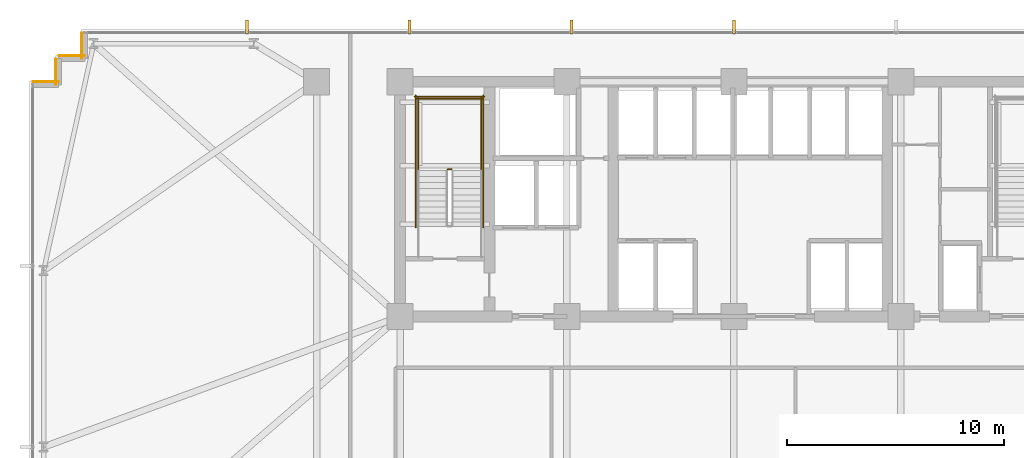
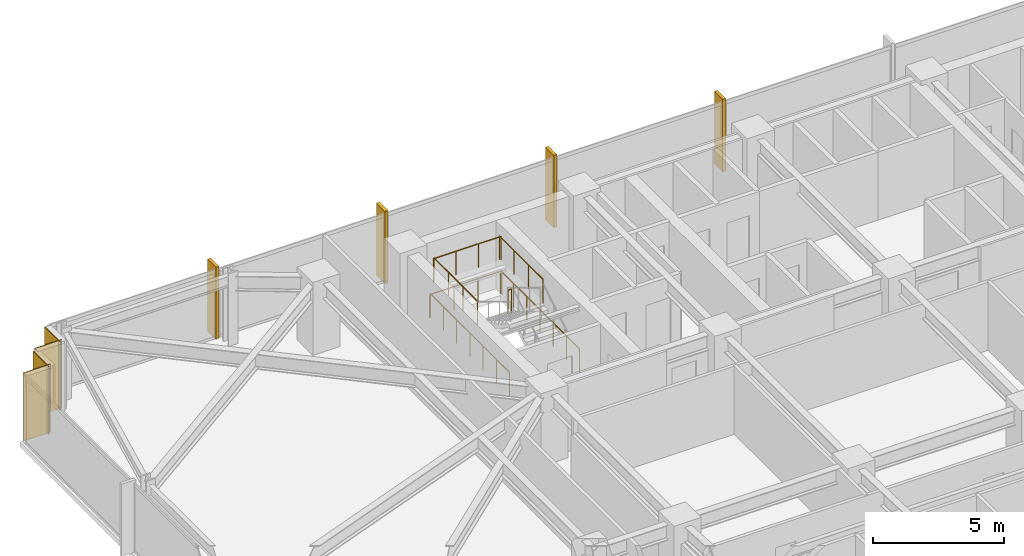
# One storey, part 30 of 32: 7 railings, 4 coverings, 4 shading devices.
"""IFC4 building model written with IfcOpenShell, lengths in metres."""

from ifc_helpers import new_model, si_unit, direction, frame, frame_2d, origin, origin_2d, place, context, subcontext, project, spatial, rectangle, circle, extrude, material, layer, layer_set, type_object, element, save


model = new_model("IFC4")

# Units and contexts
model_context = context("Model", 3, precision=1e-05, world=origin(), true_north=direction((0.0, 1.0)))
body_context = subcontext(model_context, "Body", "Model", "MODEL_VIEW")
ifc_project = project(units=[si_unit("LENGTHUNIT", "METRE"), si_unit("AREAUNIT", "SQUARE_METRE"), si_unit("VOLUMEUNIT", "CUBIC_METRE"), si_unit("PLANEANGLEUNIT", "RADIAN"), si_unit("MASSUNIT", "GRAM", prefix="KILO")], contexts=[model_context])

# Site, building, storey
site_placement = place(None, origin())
site = spatial("IfcSite", under=ifc_project, at=site_placement, CompositionType="ELEMENT")
building_placement = place(site_placement, origin())
building = spatial("IfcBuilding", under=site, at=building_placement, Name="Yelkora Congress Tower", CompositionType="ELEMENT")
storey_placement = place(building_placement, frame((0.0, 0.0, 44.0)))
storey = spatial("IfcBuildingStorey", under=building, at=storey_placement, Name="L10", CompositionType="ELEMENT", Elevation=44.0)

# Coverings
ifc_material_1 = material(Name="Anatolian bush-hammered limestone", Category="masonry")
ifc_layer_1 = layer(ifc_material_1, 0.0400390625)
ifc_layer_set_1 = layer_set([ifc_layer_1], Name="Anatolian bush-hammered limestone")
covering_type = type_object("IfcCoveringType", Name="COV-CLAD-SPANDREL-40", PredefinedType="CLADDING", material=ifc_layer_set_1)
covering_placement = place(storey_placement, frame((6.139892578125, 46.195068359375, 0.0), z_axis=(0.0, 0.0, 1.0), x_axis=(1.0, 0.0, 0.0)))
element("IfcCovering", 1, at=covering_placement, inside=storey, type_object=covering_type, Name="L10 Anatolian Limestone Cladding EW-L10-SR06", PredefinedType="CLADDING", context=body_context, shape_type="SweptSolid", body=[
    extrude(rectangle(XDim=1.2001953125, YDim=0.0400390625, at=frame_2d((0.60009765625, 0.0))), origin(), (0.0, 0.0, 1.0), 3.179931640625),
])
for number, where, z_axis, x_axis, name in (
    (2, (7.205078125, 46.06005859375, 0.0), (0.0, 0.0, 1.0), (0.0, 1.0, 0.0), "L10 Anatolian Limestone Cladding EW-L10-SR07"),
    (3, (7.340087890625, 47.39501953125, 0.0), (0.0, 0.0, 1.0), (1.0, 0.0, 0.0), "L10 Anatolian Limestone Cladding EW-L10-SR08"),
    (4, (8.405029296875, 47.260009765625, 0.0), (0.0, 0.0, 1.0), (0.0, 1.0, 0.0), "L10 Anatolian Limestone Cladding EW-L10-SR09"),
):
    element("IfcCovering", number, at=place(storey_placement, frame(where, z_axis=z_axis, x_axis=x_axis)), inside=storey, type_object=covering_type, Name=name, PredefinedType="CLADDING", context=body_context, shape_type="SweptSolid", body=[
        extrude(rectangle(XDim=1.199951171875, YDim=0.0400390625, at=frame_2d((0.60009765625, 0.0))), origin(), (0.0, 0.0, 1.0), 3.179931640625),
    ])

# Railings
ifc_material_2 = material(Name="Painted galvanised steel stair well guard with vertical infill", Category="steel")
ifc_layer_2 = layer(ifc_material_2, 0.06005859375)
ifc_layer_set_2 = layer_set([ifc_layer_2], Name="Painted galvanised steel stair well guard with vertical infill")
railing_type = type_object("IfcRailingType", Name="RAIL-STAIR-GUARD-1120", PredefinedType="GUARDRAIL", material=ifc_layer_set_2)
railing_1_placement = place(storey_placement, frame((25.39990234375, 42.169921875, 1.699951171875)))
element("IfcRailing", 5, at=railing_1_placement, inside=storey, type_object=railing_type, Name="ST-01 L10 Stair Well Guardrail 2", PredefinedType="GUARDRAIL", context=body_context, shape_type="SweptSolid", body=[
    extrude(circle(Radius=0.02392578125, at=origin_2d()), frame((0.0, 0.0, 1.09619140625), z_axis=(-1.0, 0.0, 0.0), x_axis=(0.0, -1.0, 0.0)), (0.0, 0.0, 1.0), 0.159912109375),
    extrude(circle(Radius=0.02099609375, at=origin_2d()), origin(), (0.0, 0.0, 1.0), 1.072021484375),
    extrude(circle(Radius=0.02099609375, at=origin_2d()), frame((-0.159912109375, 0.0, 0.0)), (0.0, 0.0, 1.0), 1.072021484375),
])
for number, where, name in (
    (6, (26.77001953125, 42.1201171875, 1.699951171875), "ST-01 L10 Stair Well Guardrail 3"),
    (7, (23.8701171875, 42.1201171875, 1.699951171875), "ST-01 L10 Stair Well Guardrail 4"),
):
    element("IfcRailing", number, at=place(storey_placement, frame(where)), inside=storey, type_object=railing_type, Name=name, PredefinedType="GUARDRAIL", context=body_context, shape_type="SweptSolid", body=[
        extrude(circle(Radius=0.02392578125, at=origin_2d()), frame((0.0, 0.0, 1.09619140625), z_axis=(0.0, 1.0, 0.0), x_axis=(-1.0, 0.0, 0.0)), (0.0, 0.0, 1.0), 3.349853515625),
        extrude(circle(Radius=0.02099609375, at=origin_2d()), origin(), (0.0, 0.0, 1.0), 1.072021484375),
        extrude(circle(Radius=0.02099609375, at=origin_2d()), frame((0.0, 1.11669921875, 0.0)), (0.0, 0.0, 1.0), 1.072021484375),
        extrude(circle(Radius=0.02099609375, at=origin_2d()), frame((0.0, 2.233154296875, 0.0)), (0.0, 0.0, 1.0), 1.072021484375),
        extrude(circle(Radius=0.02099609375, at=origin_2d()), frame((0.0, 3.349853515625, 0.0)), (0.0, 0.0, 1.0), 1.072021484375),
    ])
railing_2_placement = place(storey_placement, frame((26.820068359375, 45.419921875, 1.699951171875)))
element("IfcRailing", 8, at=railing_2_placement, inside=storey, type_object=railing_type, Name="ST-01 L10 Stair Well Guardrail 5", PredefinedType="GUARDRAIL", context=body_context, shape_type="SweptSolid", body=[
    extrude(circle(Radius=0.02392578125, at=origin_2d()), frame((0.0, 0.0, 1.09619140625), z_axis=(-1.0, 0.0, 0.0), x_axis=(0.0, -1.0, 0.0)), (0.0, 0.0, 1.0), 3.0),
    extrude(circle(Radius=0.02099609375, at=origin_2d()), origin(), (0.0, 0.0, 1.0), 1.072021484375),
    extrude(circle(Radius=0.02099609375, at=origin_2d()), frame((-1.0, 0.0, 0.0)), (0.0, 0.0, 1.0), 1.072021484375),
    extrude(circle(Radius=0.02099609375, at=origin_2d()), frame((-2.0, 0.0, 0.0)), (0.0, 0.0, 1.0), 1.072021484375),
    extrude(circle(Radius=0.02099609375, at=origin_2d()), frame((-3.0, 0.0, 0.0)), (0.0, 0.0, 1.0), 1.072021484375),
])
for number, where, name in (
    (9, (26.8701171875, 39.5, 0.0), "ST-01 L10 Stair Well Guardrail 10"),
    (10, (23.77001953125, 39.5, 0.0), "ST-01 L10 Stair Well Guardrail 11"),
):
    element("IfcRailing", number, at=place(storey_placement, frame(where)), inside=storey, type_object=railing_type, Name=name, PredefinedType="GUARDRAIL", context=body_context, shape_type="SweptSolid", body=[
        extrude(circle(Radius=0.02392578125, at=origin_2d()), frame((0.0, 0.0, 1.09619140625), z_axis=(0.0, 1.0, 0.0), x_axis=(-1.0, 0.0, 0.0)), (0.0, 0.0, 1.0), 6.070068359375),
        extrude(circle(Radius=0.02099609375, at=origin_2d()), origin(), (0.0, 0.0, 1.0), 1.072021484375),
        extrude(circle(Radius=0.02099609375, at=origin_2d()), frame((0.0, 1.01171875, 0.0)), (0.0, 0.0, 1.0), 1.072021484375),
        extrude(circle(Radius=0.02099609375, at=origin_2d()), frame((0.0, 2.0234375, 0.0)), (0.0, 0.0, 1.0), 1.072021484375),
        extrude(circle(Radius=0.02099609375, at=origin_2d()), frame((0.0, 3.03515625, 0.0)), (0.0, 0.0, 1.0), 1.072021484375),
        extrude(circle(Radius=0.02099609375, at=origin_2d()), frame((0.0, 4.046630859375, 0.0)), (0.0, 0.0, 1.0), 1.072021484375),
        extrude(circle(Radius=0.02099609375, at=origin_2d()), frame((0.0, 5.058349609375, 0.0)), (0.0, 0.0, 1.0), 1.072021484375),
        extrude(circle(Radius=0.02099609375, at=origin_2d()), frame((0.0, 6.070068359375, 0.0)), (0.0, 0.0, 1.0), 1.072021484375),
    ])
railing_3_placement = place(storey_placement, frame((26.919921875, 45.52001953125, 0.0)))
element("IfcRailing", 11, at=railing_3_placement, inside=storey, type_object=railing_type, Name="ST-01 L10 Stair Well Guardrail 12", PredefinedType="GUARDRAIL", context=body_context, shape_type="SweptSolid", body=[
    extrude(circle(Radius=0.02392578125, at=origin_2d()), frame((0.0, 0.0, 1.09619140625), z_axis=(-1.0, 0.0, 0.0), x_axis=(0.0, -1.0, 0.0)), (0.0, 0.0, 1.0), 3.199951171875),
    extrude(circle(Radius=0.02099609375, at=origin_2d()), origin(), (0.0, 0.0, 1.0), 1.072021484375),
    extrude(circle(Radius=0.02099609375, at=origin_2d()), frame((-1.066650390625, 0.0, 0.0)), (0.0, 0.0, 1.0), 1.072021484375),
    extrude(circle(Radius=0.02099609375, at=origin_2d()), frame((-2.13330078125, 0.0, 0.0)), (0.0, 0.0, 1.0), 1.072021484375),
    extrude(circle(Radius=0.02099609375, at=origin_2d()), frame((-3.199951171875, 0.0, 0.0)), (0.0, 0.0, 1.0), 1.072021484375),
])

# Shading devices
ifc_material_3 = material(Name="Champagne anodised aluminium", Category="aluminium")
ifc_layer_3 = layer(ifc_material_3, 3.39990234375)
ifc_layer_set_3 = layer_set([ifc_layer_3], Name="Champagne anodised aluminium")
shading_device_type = type_object("IfcShadingDeviceType", Name="SHD-FIN-ALU-640", PredefinedType="USERDEFINED", material=ifc_layer_set_3)
for number, where, z_axis, x_axis, name in (
    (12, (16.0048828125, 48.719970703125, -0.030029296875), (0.0, 0.0, 1.0), (1.0, 0.0, 0.0), "L10 Vertical Anodised Solar Fin 10-1"),
    (13, (23.469970703125, 48.719970703125, -0.030029296875), (0.0, 0.0, 1.0), (1.0, 0.0, 0.0), "L10 Vertical Anodised Solar Fin 10-2"),
    (14, (30.93505859375, 48.719970703125, -0.030029296875), (0.0, 0.0, 1.0), (1.0, 0.0, 0.0), "L10 Vertical Anodised Solar Fin 10-3"),
    (15, (38.39990234375, 48.719970703125, -0.030029296875), (0.0, 0.0, 1.0), (1.0, 0.0, 0.0), "L10 Vertical Anodised Solar Fin 10-4"),
):
    element("IfcShadingDevice", number, at=place(storey_placement, frame(where, z_axis=z_axis, x_axis=x_axis)), inside=storey, type_object=shading_device_type, Name=name, ObjectType="FIN", PredefinedType="USERDEFINED", context=body_context, shape_type="SweptSolid", body=[
        extrude(rectangle(XDim=0.139892578125, YDim=0.639892578125, at=origin_2d()), origin(), (0.0, 0.0, 1.0), 3.3798828125),
    ])

save(model, "model.ifc")
